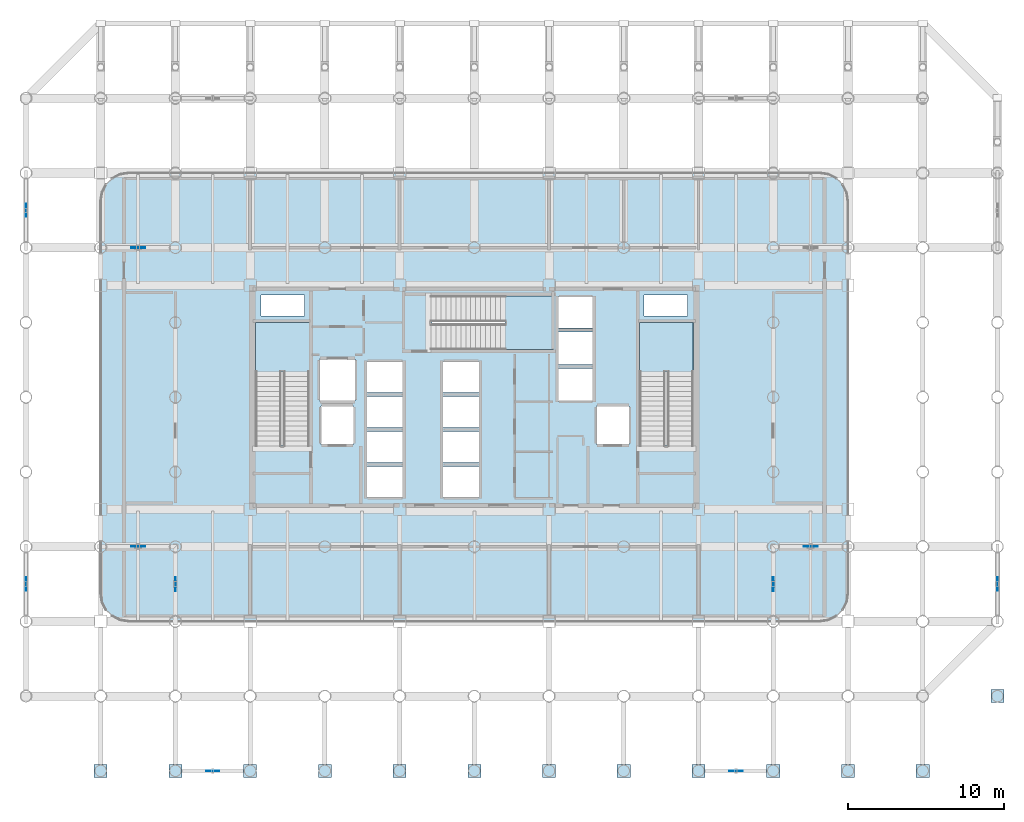
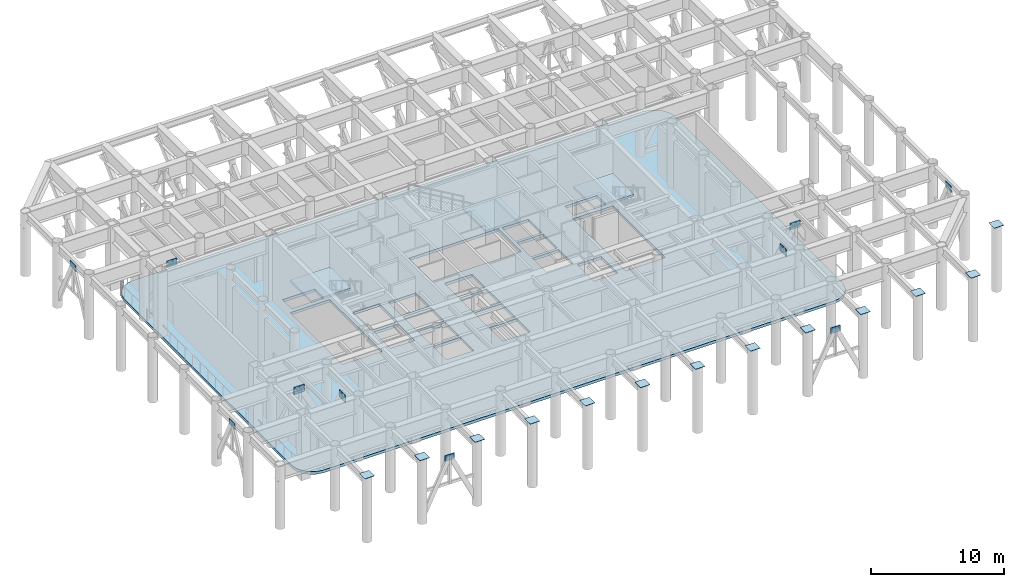
# One storey, part 11 of 19: 23 plates, 4 slabs, 3 elements without a shape of their own.
"""IFC4 building model written with IfcOpenShell, lengths in metres."""

from ifc_helpers import new_model, si_unit, direction, frame, origin, origin_2d, place, context, subcontext, project, spatial, polyline, rectangle, outline, extrude, material, layer, layer_set, type_object, element, aggregate, save


model = new_model("IFC4")

# Units and contexts
model_context = context("Model", 3, precision=1e-05, world=origin(), true_north=direction((0.0, 1.0)))
body_context = subcontext(model_context, "Body", "Model", "MODEL_VIEW")
ifc_project = project(units=[si_unit("LENGTHUNIT", "METRE"), si_unit("AREAUNIT", "SQUARE_METRE"), si_unit("VOLUMEUNIT", "CUBIC_METRE"), si_unit("PLANEANGLEUNIT", "RADIAN"), si_unit("MASSUNIT", "GRAM", prefix="KILO")], contexts=[model_context])

# Site, building, storey
site_placement = place(None, origin())
site = spatial("IfcSite", under=ifc_project, at=site_placement, CompositionType="ELEMENT")
building_placement = place(site_placement, origin())
building = spatial("IfcBuilding", under=site, at=building_placement, Name="Kallvorn Hotel Tower", CompositionType="ELEMENT")
storey_placement = place(building_placement, frame((0.0, 0.0, 89.199951171875)))
storey = spatial("IfcBuildingStorey", under=building, at=storey_placement, Name="L21", CompositionType="ELEMENT", Elevation=89.199951171875)

# Plates
ifc_material_1 = material(Name="Structural steel S355JR", Category="steel")
ifc_layer_1 = layer(ifc_material_1, 0.030029296875)
ifc_layer_set_1 = layer_set([ifc_layer_1], Name="PLT_CAP_30")
plate_type_1 = type_object("IfcPlateType", Name="PLT_CAP_30", PredefinedType="SHEET", material=ifc_layer_set_1)
for number, where, z_axis, x_axis, name in (
    (1, (-24.0, -24.0, 6.0), (0.0, 0.0, 1.0), (1.0, 0.0, 0.0), "L21 Hollow Column Top End Cap Plate 0155"),
    (2, (-19.199951171875, -24.0, 6.0), (0.0, 0.0, 1.0), (1.0, 0.0, 0.0), "L21 Hollow Column Top End Cap Plate 0156"),
    (3, (-14.39990234375, -24.0, 6.0), (0.0, 0.0, 1.0), (1.0, 0.0, 0.0), "L21 Hollow Column Top End Cap Plate 0157"),
    (4, (-9.60009765625, -24.0, 6.0), (0.0, 0.0, 1.0), (1.0, 0.0, 0.0), "L21 Hollow Column Top End Cap Plate 0158"),
    (5, (-4.800048828125, -24.0, 6.0), (0.0, 0.0, 1.0), (1.0, 0.0, 0.0), "L21 Hollow Column Top End Cap Plate 0159"),
    (6, (0.0, -24.0, 6.0), (0.0, 0.0, 1.0), (1.0, 0.0, 0.0), "L21 Hollow Column Top End Cap Plate 0160"),
    (7, (4.800048828125, -24.0, 6.0), (0.0, 0.0, 1.0), (1.0, 0.0, 0.0), "L21 Hollow Column Top End Cap Plate 0161"),
    (8, (9.60009765625, -24.0, 6.0), (0.0, 0.0, 1.0), (1.0, 0.0, 0.0), "L21 Hollow Column Top End Cap Plate 0162"),
    (9, (14.39990234375, -24.0, 6.0), (0.0, 0.0, 1.0), (1.0, 0.0, 0.0), "L21 Hollow Column Top End Cap Plate 0163"),
    (10, (19.199951171875, -24.0, 6.0), (0.0, 0.0, 1.0), (1.0, 0.0, 0.0), "L21 Hollow Column Top End Cap Plate 0164"),
    (11, (24.0, -24.0, 6.0), (0.0, 0.0, 1.0), (1.0, 0.0, 0.0), "L21 Hollow Column Top End Cap Plate 0165"),
    (12, (28.800048828125, -24.0, 6.0), (0.0, 0.0, 1.0), (1.0, 0.0, 0.0), "L21 Hollow Column Top End Cap Plate 0166"),
    (13, (33.60009765625, -19.199951171875, 6.0), (0.0, 0.0, 1.0), (1.0, 0.0, 0.0), "L21 Hollow Column Top End Cap Plate 0167"),
):
    element("IfcPlate", number, at=place(storey_placement, frame(where, z_axis=z_axis, x_axis=x_axis)), inside=storey, type_object=plate_type_1, Name=name, PredefinedType="SHEET", context=body_context, shape_type="SweptSolid", body=[
        extrude(rectangle(XDim=0.842041015625, YDim=0.842041015625, at=origin_2d()), origin(), (0.0, 0.0, 1.0), 0.030029296875),
    ])
ifc_material_2 = material(Name="Structural steel S355JR", Category="steel")
ifc_layer_2 = layer(ifc_material_2, 0.0400390625)
ifc_layer_set_2 = layer_set([ifc_layer_2], Name="PLT_GUSSET_40")
plate_type_2 = type_object("IfcPlateType", Name="PLT_GUSSET_40", PredefinedType="USERDEFINED", material=ifc_layer_set_2)
for number, where, z_axis, x_axis, name in (
    (14, (-21.60009765625, -9.60009765625, 3.9951171875), (0.0, 0.0, 1.0), (1.0, 0.0, 0.0), "L21 Outrigger Node Gusset Plate OTW1"),
    (15, (21.60009765625, -9.60009765625, 3.9951171875), (0.0, 0.0, 1.0), (1.0, 0.0, 0.0), "L21 Outrigger Node Gusset Plate OTE1"),
    (16, (-21.60009765625, 9.60009765625, 3.9951171875), (0.0, 0.0, 1.0), (1.0, 0.0, 0.0), "L21 Outrigger Node Gusset Plate OTW2"),
    (17, (-19.199951171875, -12.0, 3.9951171875), (0.0, 0.0, 1.0), (0.0, 1.0, 0.0), "L21 Outrigger Node Gusset Plate OTS1"),
    (18, (19.199951171875, -12.0, 3.9951171875), (0.0, 0.0, 1.0), (0.0, 1.0, 0.0), "L21 Outrigger Node Gusset Plate OTS2"),
):
    element("IfcPlate", number, at=place(storey_placement, frame(where, z_axis=z_axis, x_axis=x_axis)), inside=storey, type_object=plate_type_2, Name=name, ObjectType="GUSSET PLATE", PredefinedType="USERDEFINED", context=body_context, shape_type="SweptSolid", body=[
        extrude(rectangle(XDim=0.89990234375, YDim=0.0400390625, at=origin_2d()), origin(), (0.0, 0.0, 1.0), 0.64990234375),
    ])
for number, where, z_axis, x_axis, name in (
    (19, (-16.800048828125, -24.0, 4.84521484375), (0.0, 0.0, 1.0), (1.0, 0.0, 0.0), "L21 Belt Truss Gusset Plate 1"),
    (20, (16.800048828125, -24.0, 4.84521484375), (0.0, 0.0, 1.0), (1.0, 0.0, 0.0), "L21 Belt Truss Gusset Plate 2"),
    (21, (-28.800048828125, -12.0, 4.84521484375), (0.0, 0.0, 1.0), (0.0, 1.0, 0.0), "L21 Belt Truss Gusset Plate 5"),
    (22, (-28.800048828125, 12.0, 4.84521484375), (0.0, 0.0, 1.0), (0.0, 1.0, 0.0), "L21 Belt Truss Gusset Plate 6"),
    (23, (33.60009765625, -12.0, 4.84521484375), (0.0, 0.0, 1.0), (0.0, 1.0, 0.0), "L21 Belt Truss Gusset Plate 7"),
):
    element("IfcPlate", number, at=place(storey_placement, frame(where, z_axis=z_axis, x_axis=x_axis)), inside=storey, type_object=plate_type_2, Name=name, ObjectType="GUSSET PLATE", PredefinedType="USERDEFINED", context=body_context, shape_type="SweptSolid", body=[
        extrude(rectangle(XDim=0.85009765625, YDim=0.0400390625, at=origin_2d()), origin(), (0.0, 0.0, 1.0), 0.550048828125),
    ])

# Stair, slab
ifc_material_3 = material(Name="Precast concrete C40/50", Category="concrete")
stair_type = type_object("IfcStairType", Name="STR_CORE_DOGLEG", PredefinedType="HALF_TURN_STAIR", material=ifc_material_3)
stair_1_placement = place(storey_placement, origin())
stair_1 = element("IfcStair", 24, at=stair_1_placement, inside=storey, type_object=stair_type, Name="L21 Exit stair ST1", PredefinedType="HALF_TURN_STAIR")
ifc_material_4 = material(Name="Precast concrete C40/50", Category="concrete")
ifc_layer_3 = layer(ifc_material_4, 0.179931640625)
ifc_layer_set_3 = layer_set([ifc_layer_3], Name="SLB_LANDING_180")
slab_type_1 = type_object("IfcSlabType", Name="SLB_LANDING_180", PredefinedType="LANDING", material=ifc_layer_set_3)
slab_1_placement = place(storey_placement, frame((0.0, 0.0, 2.800048828125)))
slab_1 = element("IfcSlab", 25, at=slab_1_placement, type_object=slab_type_1, Name="ST1 landing 1", PredefinedType="LANDING", context=body_context, shape_type="SweptSolid", body=[
    extrude(outline(polyline([(-10.60009765625, 1.610107421875), (-10.60009765625, 4.800048828125), (-14.06005859375, 4.800048828125), (-14.06005859375, 1.610107421875), (-10.60009765625, 1.610107421875)])), origin(), (0.0, 0.0, 1.0), 0.199951171875),
])
aggregate(stair_1, [slab_1])

stair_2_placement = place(storey_placement, origin())
stair_2 = element("IfcStair", 26, at=stair_2_placement, inside=storey, type_object=stair_type, Name="L21 Exit stair ST2", PredefinedType="HALF_TURN_STAIR")
slab_2_placement = place(storey_placement, frame((0.0, 0.0, 2.800048828125)))
slab_2 = element("IfcSlab", 27, at=slab_2_placement, type_object=slab_type_1, Name="ST2 landing 1", PredefinedType="LANDING", context=body_context, shape_type="SweptSolid", body=[
    extrude(outline(polyline([(14.06005859375, 1.610107421875), (14.06005859375, 4.800048828125), (10.60009765625, 4.800048828125), (10.60009765625, 1.610107421875), (14.06005859375, 1.610107421875)])), origin(), (0.0, 0.0, 1.0), 0.199951171875),
])
aggregate(stair_2, [slab_2])

stair_3_placement = place(storey_placement, origin())
stair_3 = element("IfcStair", 28, at=stair_3_placement, inside=storey, type_object=stair_type, Name="L21 Exit stair ST3", PredefinedType="HALF_TURN_STAIR")
slab_3_placement = place(storey_placement, frame((0.0, 0.0, 2.800048828125)))
slab_3 = element("IfcSlab", 29, at=slab_3_placement, type_object=slab_type_1, Name="ST3 landing 1", PredefinedType="LANDING", context=body_context, shape_type="SweptSolid", body=[
    extrude(outline(polyline([(1.9599609375, 3.050048828125), (5.050048828125, 3.050048828125), (5.050048828125, 6.510009765625), (1.9599609375, 6.510009765625), (1.9599609375, 3.050048828125)])), origin(), (0.0, 0.0, 1.0), 0.199951171875),
])
aggregate(stair_3, [slab_3])

# Slab
ifc_material_5 = material(Name="Concrete C40/50", Category="concrete")
ifc_layer_4 = layer(ifc_material_5, 0.25)
ifc_layer_set_4 = layer_set([ifc_layer_4], Name="SLB_WIND_250")
slab_type_2 = type_object("IfcSlabType", Name="SLB_WIND_250", PredefinedType="FLOOR", material=ifc_layer_set_4)
slab_4_placement = place(storey_placement, frame((0.0, 0.0, -0.25)))
element("IfcSlab", 30, at=slab_4_placement, inside=storey, type_object=slab_type_2, Name="L21 Structural Floor Slab", PredefinedType="FLOOR", context=body_context, shape_type="SweptSolid", body=[
    extrude(outline(polyline([(22.199951171875, -14.39990234375), (22.756103515625, -14.31201171875), (23.258056640625, -14.05615234375), (23.65625, -13.657958984375), (23.911865234375, -13.15625), (24.0, -12.60009765625), (24.0, 12.60009765625), (23.911865234375, 13.15625), (23.65625, 13.657958984375), (23.258056640625, 14.05615234375), (22.756103515625, 14.31201171875), (22.199951171875, 14.39990234375), (-22.199951171875, 14.39990234375), (-22.756103515625, 14.31201171875), (-23.258056640625, 14.05615234375), (-23.65625, 13.657958984375), (-23.911865234375, 13.15625), (-24.0, 12.60009765625), (-24.0, -12.60009765625), (-23.911865234375, -13.15625), (-23.65625, -13.657958984375), (-23.258056640625, -14.05615234375), (-22.756103515625, -14.31201171875), (-22.199951171875, -14.39990234375), (22.199951171875, -14.39990234375)]), holes=[polyline([(-10.60009765625, -3.070068359375), (-10.60009765625, 4.800048828125), (-14.06005859375, 4.800048828125), (-14.06005859375, -3.070068359375), (-10.60009765625, -3.070068359375)]), polyline([(14.06005859375, -3.070068359375), (14.06005859375, 4.800048828125), (10.60009765625, 4.800048828125), (10.60009765625, -3.070068359375), (14.06005859375, -3.070068359375)]), polyline([(-2.719970703125, 3.050048828125), (5.050048828125, 3.050048828125), (5.050048828125, 6.510009765625), (-2.719970703125, 6.510009765625), (-2.719970703125, 3.050048828125)]), polyline([(-6.949951171875, -6.449951171875), (-4.550048828125, -6.449951171875), (-4.550048828125, -4.449951171875), (-6.949951171875, -4.449951171875), (-6.949951171875, -6.449951171875)]), polyline([(-6.949951171875, -4.199951171875), (-4.550048828125, -4.199951171875), (-4.550048828125, -2.199951171875), (-6.949951171875, -2.199951171875), (-6.949951171875, -4.199951171875)]), polyline([(-6.949951171875, -1.949951171875), (-4.550048828125, -1.949951171875), (-4.550048828125, 0.050048828125), (-6.949951171875, 0.050048828125), (-6.949951171875, -1.949951171875)]), polyline([(-6.949951171875, 0.300048828125), (-4.550048828125, 0.300048828125), (-4.550048828125, 2.300048828125), (-6.949951171875, 2.300048828125), (-6.949951171875, 0.300048828125)]), polyline([(-2.050048828125, -6.449951171875), (0.35009765625, -6.449951171875), (0.35009765625, -4.449951171875), (-2.050048828125, -4.449951171875), (-2.050048828125, -6.449951171875)]), polyline([(-2.050048828125, -4.199951171875), (0.35009765625, -4.199951171875), (0.35009765625, -2.199951171875), (-2.050048828125, -2.199951171875), (-2.050048828125, -4.199951171875)]), polyline([(-2.050048828125, -1.949951171875), (0.35009765625, -1.949951171875), (0.35009765625, 0.050048828125), (-2.050048828125, 0.050048828125), (-2.050048828125, -1.949951171875)]), polyline([(-2.050048828125, 0.300048828125), (0.35009765625, 0.300048828125), (0.35009765625, 2.300048828125), (-2.050048828125, 2.300048828125), (-2.050048828125, 0.300048828125)]), polyline([(5.35009765625, -0.25), (7.64990234375, -0.25), (7.64990234375, 1.85009765625), (5.35009765625, 1.85009765625), (5.35009765625, -0.25)]), polyline([(5.35009765625, 2.10009765625), (7.64990234375, 2.10009765625), (7.64990234375, 4.199951171875), (5.35009765625, 4.199951171875), (5.35009765625, 2.10009765625)]), polyline([(5.35009765625, 4.449951171875), (7.64990234375, 4.449951171875), (7.64990234375, 6.449951171875), (5.35009765625, 6.449951171875), (5.35009765625, 4.449951171875)]), polyline([(-9.85009765625, -3.050048828125), (-7.75, -3.050048828125), (-7.75, -0.550048828125), (-9.85009765625, -0.550048828125), (-9.85009765625, -3.050048828125)]), polyline([(7.85009765625, -3.050048828125), (9.949951171875, -3.050048828125), (9.949951171875, -0.550048828125), (7.85009765625, -0.550048828125), (7.85009765625, -3.050048828125)]), polyline([(-9.949951171875, -0.25), (-7.64990234375, -0.25), (-7.64990234375, 2.449951171875), (-9.949951171875, 2.449951171875), (-9.949951171875, -0.25)]), polyline([(-13.699951171875, 5.199951171875), (-10.89990234375, 5.199951171875), (-10.89990234375, 6.550048828125), (-13.699951171875, 6.550048828125), (-13.699951171875, 5.199951171875)]), polyline([(10.89990234375, 5.199951171875), (13.699951171875, 5.199951171875), (13.699951171875, 6.550048828125), (10.89990234375, 6.550048828125), (10.89990234375, 5.199951171875)])]), origin(), (0.0, 0.0, 1.0), 0.25),
])

save(model, "model.ifc")
